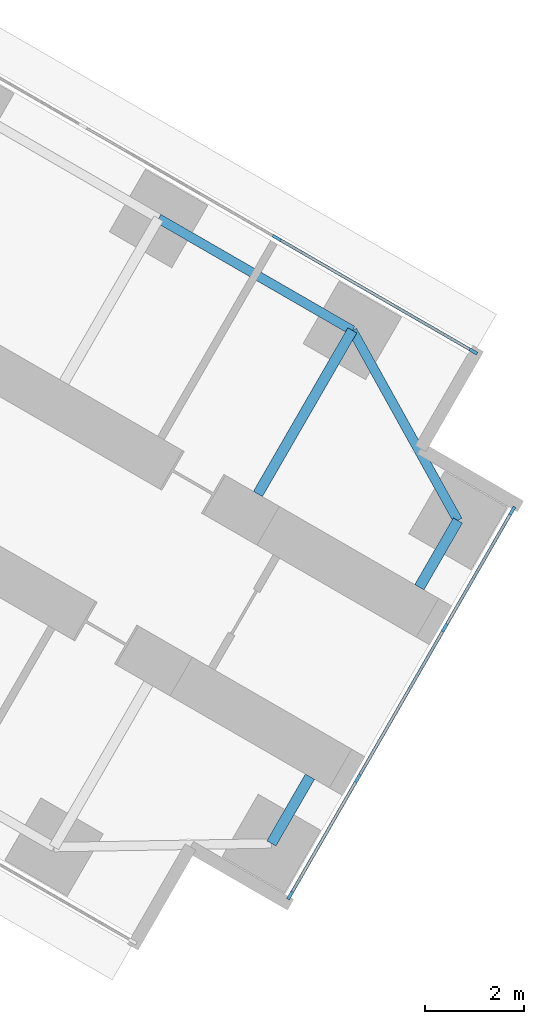
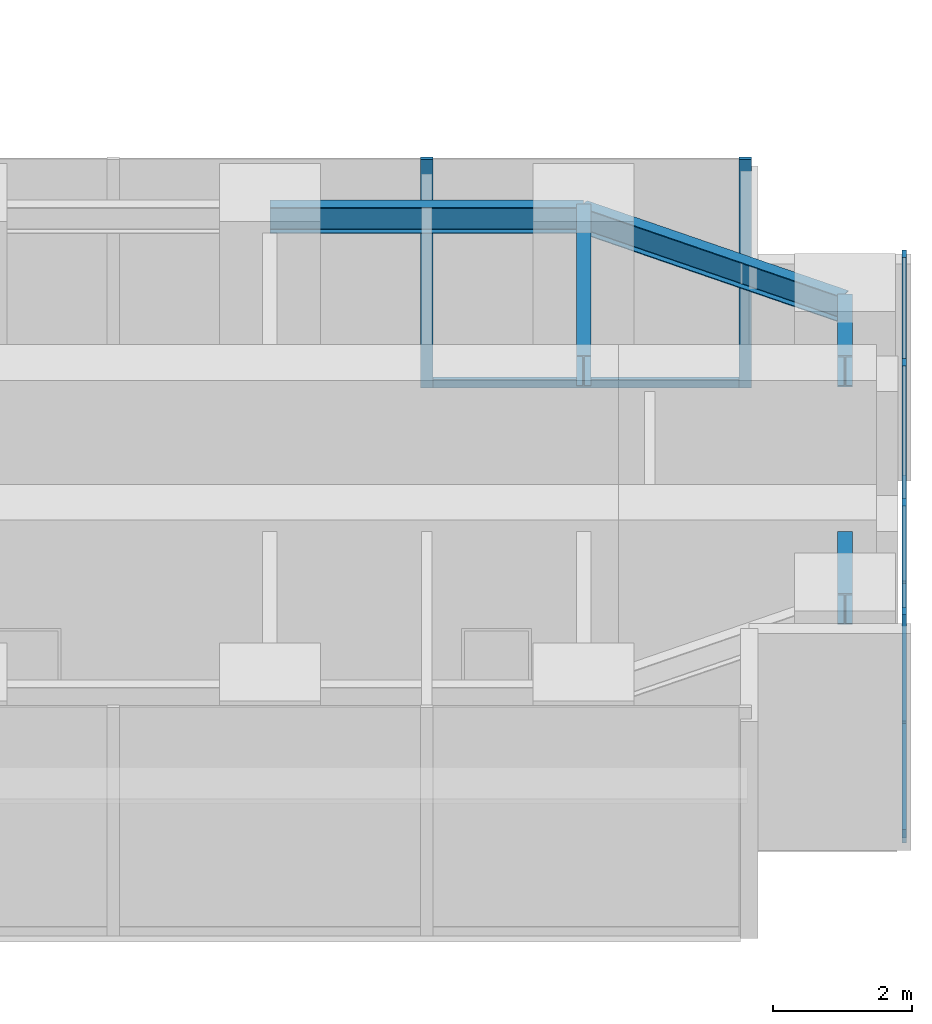
# One storey, part 12 of 24: 10 members, 5 beams, 2 elements without a shape of their own.
"""IFC4 building model written with IfcOpenShell, lengths in metres."""

from ifc_helpers import new_model, si_unit, direction, frame, origin, origin_2d, place, context, subcontext, project, spatial, rectangle, i_section, extrude, material, material_profile, profile_set, type_object, element, aggregate, save


model = new_model("IFC4")

# Units and contexts
model_context = context("Model", 3, precision=1e-05, world=origin(), true_north=direction((0.0, 1.0)))
body_context = subcontext(model_context, "Body", "Model", "MODEL_VIEW")
ifc_project = project(units=[si_unit("LENGTHUNIT", "METRE"), si_unit("AREAUNIT", "SQUARE_METRE"), si_unit("VOLUMEUNIT", "CUBIC_METRE"), si_unit("PLANEANGLEUNIT", "RADIAN"), si_unit("MASSUNIT", "GRAM", prefix="KILO")], contexts=[model_context])

# Site, building, storey
site_placement = place(None, origin())
site = spatial("IfcSite", under=ifc_project, at=site_placement, CompositionType="ELEMENT")
building_placement = place(site_placement, origin())
building = spatial("IfcBuilding", under=site, at=building_placement, Name="Upepo Twin Towers", CompositionType="ELEMENT")
storey_placement = place(building_placement, frame((0.0, 0.0, 48.5)))
storey = spatial("IfcBuildingStorey", under=building, at=storey_placement, Name="L11", CompositionType="ELEMENT", Elevation=48.5)

# Beams
ifc_material_1 = material(Name="Steel S355", Category="steel")
ifc_material_profile_1 = material_profile(ifc_material_1, i_section(OverallWidth=0.1904296875, OverallDepth=0.45703125, WebThickness=0.009033203125, FlangeThickness=0.014404296875, FilletRadius=0.01025390625, at=origin_2d()), Name="UB 457x191x74")
ifc_profile_set_1 = profile_set([ifc_material_profile_1], Name="Steel S355")
beam_type_1 = type_object("IfcBeamType", Name="Beam UB 457x191x74", PredefinedType="BEAM", material=ifc_profile_set_1)
beam_1_placement = place(storey_placement, frame((77.08837890625, -21.803955078125, 3.571533203125), z_axis=(0.866031096941, -0.499990139034, 0.0), x_axis=(0.499990139034, 0.866031096941, 0.0)))
element("IfcBeam", 1, at=beam_1_placement, inside=storey, type_object=beam_type_1, Name="T2 edge beam CL 18.0-22.5", PredefinedType="BEAM", context=body_context, shape_type="SweptSolid", body=[
    extrude(i_section(OverallWidth=0.1904296875, OverallDepth=0.45703125, WebThickness=0.009033203125, FlangeThickness=0.014404296875, FilletRadius=0.01025390625, at=origin_2d()), origin(), (0.0, 0.0, 1.0), 4.5),
])
beam_2_placement = place(storey_placement, frame((80.985595703125, -24.053955078125, 3.571533203125), z_axis=(0.485363242752, -0.874312600038, 0.0), x_axis=(0.874312600038, 0.485363242752, 0.0)))
element("IfcBeam", 2, at=beam_2_placement, inside=storey, type_object=beam_type_1, Name="T2 nose edge beam CL", PredefinedType="BEAM", context=body_context, shape_type="SweptSolid", body=[
    extrude(i_section(OverallWidth=0.1904296875, OverallDepth=0.45703125, WebThickness=0.009033203125, FlangeThickness=0.014404296875, FilletRadius=0.01025390625, at=origin_2d()), origin(), (0.0, 0.0, 1.0), 4.373046875),
])
ifc_material_2 = material(Name="Steel S355", Category="steel")
ifc_material_profile_2 = material_profile(ifc_material_2, i_section(OverallWidth=0.2119140625, OverallDepth=0.54443359375, WebThickness=0.0126953125, FlangeThickness=0.021240234375, FilletRadius=0.0126953125, at=origin_2d()), Name="UB 533x210x122")
ifc_profile_set_2 = profile_set([ifc_material_profile_2], Name="Steel S355")
beam_type_2 = type_object("IfcBeamType", Name="Beam UB 533x210x122", PredefinedType="BEAM", material=ifc_profile_set_2)
for number, where, z_axis, x_axis, name in (
    (3, (83.108154296875, -27.87744140625, 3.52783203125), (-0.499967891604, -0.866043940782, 0.0), (0.866043940782, -0.499967891604, 0.0), "T2 nose beam CL"),
    (4, (79.358154296875, -34.37255859375, 3.52783203125), (0.499967891604, 0.866043940782, 0.0), (-0.866043940782, 0.499967891604, 0.0), "T2 nose beam CR"),
):
    element("IfcBeam", number, at=place(storey_placement, frame(where, z_axis=z_axis, x_axis=x_axis)), inside=storey, type_object=beam_type_2, Name=name, PredefinedType="BEAM", context=body_context, shape_type="SweptSolid", body=[
        extrude(i_section(OverallWidth=0.2119140625, OverallDepth=0.54443359375, WebThickness=0.0126953125, FlangeThickness=0.021240234375, FilletRadius=0.0126953125, at=origin_2d()), origin(), (0.0, 0.0, 1.0), 1.5498046875),
    ])
ifc_material_3 = material(Name="Steel S355", Category="steel")
ifc_material_profile_3 = material_profile(ifc_material_3, i_section(OverallWidth=0.209228515625, OverallDepth=0.533203125, WebThickness=0.010009765625, FlangeThickness=0.015625, FilletRadius=0.0126953125, at=origin_2d()), Name="UB 533x210x92")
ifc_profile_set_3 = profile_set([ifc_material_profile_3], Name="Steel S355")
beam_type_3 = type_object("IfcBeamType", Name="Beam UB 533x210x92", PredefinedType="BEAM", material=ifc_profile_set_3)
beam_3_placement = place(storey_placement, frame((80.985595703125, -24.053955078125, 3.533447265625), z_axis=(-0.499994975061, -0.866028304915, 0.0), x_axis=(0.866028304915, -0.499994975061, 0.0)))
element("IfcBeam", 5, at=beam_3_placement, inside=storey, type_object=beam_type_3, Name="T2 girder CL at 22.5", PredefinedType="BEAM", context=body_context, shape_type="SweptSolid", body=[
    extrude(i_section(OverallWidth=0.209228515625, OverallDepth=0.533203125, WebThickness=0.010009765625, FlangeThickness=0.015625, FilletRadius=0.0126953125, at=origin_2d()), origin(), (0.0, 0.0, 1.0), 3.7998046875),
])

# Curtain wall, members
ifc_material_4 = material(Name="Aluminium and fritted glass", Category="aluminium")
curtain_wall_type = type_object("IfcCurtainWallType", Name="Tower curtain wall TW1, fritted glass", PredefinedType="NOTDEFINED", material=ifc_material_4)
curtain_wall_1_placement = place(storey_placement, origin())
curtain_wall_1 = element("IfcCurtainWall", 6, at=curtain_wall_1_placement, inside=storey, type_object=curtain_wall_type, Name="T2 L11 wing C flank L curtain wall", PredefinedType="NOTDEFINED")
ifc_material_5 = material(Name="Aluminium mullion", Category="aluminium")
ifc_material_profile_4 = material_profile(ifc_material_5, rectangle(XDim=0.06494140625, YDim=0.179931640625, at=origin_2d()), Name="MULLION 65x180")
ifc_profile_set_4 = profile_set([ifc_material_profile_4], Name="Aluminium mullion")
member_type_1 = type_object("IfcMemberType", Name="Mullion 65x180 TW1", PredefinedType="MULLION", material=ifc_profile_set_4)
member_1_placement = place(storey_placement, frame((79.4619140625, -22.192626953125, 0.0), z_axis=(0.0, 0.0, 1.0), x_axis=(0.500000024426, 0.866025389682, 0.0)))
member_1 = element("IfcMember", 7, at=member_1_placement, type_object=member_type_1, Name="T2 L11 wing C flank L curtain wall mullion 3", PredefinedType="MULLION", context=body_context, shape_type="SweptSolid", body=[
    extrude(rectangle(XDim=0.06494140625, YDim=0.179931640625, at=origin_2d()), origin(), (0.0, 0.0, 1.0), 4.0),
])
member_2_placement = place(storey_placement, frame((83.41748046875, -24.4765625, 0.0), z_axis=(0.0, 0.0, 1.0), x_axis=(0.500000024426, 0.866025389682, 0.0)))
member_2 = element("IfcMember", 8, at=member_2_placement, type_object=member_type_1, Name="T2 L11 wing C flank L curtain wall mullion 4", PredefinedType="MULLION", context=body_context, shape_type="SweptSolid", body=[
    extrude(rectangle(XDim=0.06494140625, YDim=0.179931640625, at=origin_2d()), origin(), (0.0, 0.0, 1.0), 4.0),
])

curtain_wall_2_placement = place(storey_placement, origin())
curtain_wall_2 = element("IfcCurtainWall", 9, at=curtain_wall_2_placement, inside=storey, type_object=curtain_wall_type, Name="T2 L11 wing C nose curtain wall", PredefinedType="NOTDEFINED")
member_3_placement = place(storey_placement, frame((79.735595703125, -35.4189453125, 0.0), z_axis=(0.0, 0.0, 1.0), x_axis=(-0.866025386174, 0.500000030502, 0.0)))
member_3 = element("IfcMember", 10, at=member_3_placement, type_object=member_type_1, Name="T2 L11 wing C nose curtain wall mullion 1", PredefinedType="MULLION", context=body_context, shape_type="SweptSolid", body=[
    extrude(rectangle(XDim=0.06494140625, YDim=0.179931640625, at=origin_2d()), origin(), (0.0, 0.0, 1.0), 4.0),
])
member_4_placement = place(storey_placement, frame((81.09423828125, -33.0654296875, 0.0), z_axis=(0.0, 0.0, 1.0), x_axis=(-0.866025386174, 0.500000030502, 0.0)))
member_4 = element("IfcMember", 11, at=member_4_placement, type_object=member_type_1, Name="T2 L11 wing C nose curtain wall mullion 2", PredefinedType="MULLION", context=body_context, shape_type="SweptSolid", body=[
    extrude(rectangle(XDim=0.06494140625, YDim=0.179931640625, at=origin_2d()), origin(), (0.0, 0.0, 1.0), 4.0),
])
member_5_placement = place(storey_placement, frame((82.84423828125, -30.034423828125, 0.0), z_axis=(0.0, 0.0, 1.0), x_axis=(-0.866025386174, 0.500000030502, 0.0)))
member_5 = element("IfcMember", 12, at=member_5_placement, type_object=member_type_1, Name="T2 L11 wing C nose curtain wall mullion 3", PredefinedType="MULLION", context=body_context, shape_type="SweptSolid", body=[
    extrude(rectangle(XDim=0.06494140625, YDim=0.179931640625, at=origin_2d()), origin(), (0.0, 0.0, 1.0), 4.0),
])
member_6_placement = place(storey_placement, frame((84.203125, -27.68115234375, 0.0), z_axis=(0.0, 0.0, 1.0), x_axis=(-0.866025386174, 0.500000030502, 0.0)))
member_6 = element("IfcMember", 13, at=member_6_placement, type_object=member_type_1, Name="T2 L11 wing C nose curtain wall mullion 4", PredefinedType="MULLION", context=body_context, shape_type="SweptSolid", body=[
    extrude(rectangle(XDim=0.06494140625, YDim=0.179931640625, at=origin_2d()), origin(), (0.0, 0.0, 1.0), 4.0),
])

# Member
ifc_material_6 = material(Name="Aluminium transom", Category="aluminium")
ifc_material_profile_5 = material_profile(ifc_material_6, rectangle(XDim=0.06494140625, YDim=0.14990234375, at=origin_2d()), Name="TRANSOM 65x150")
ifc_profile_set_5 = profile_set([ifc_material_profile_5], Name="Aluminium transom")
member_type_2 = type_object("IfcMemberType", Name="Transom 65x150 TW1", PredefinedType="USERDEFINED", material=ifc_profile_set_5)
member_7_placement = place(storey_placement, frame((79.490234375, -22.208984375, 0.074951171875), z_axis=(0.866022143554, -0.500005646842, 0.0), x_axis=(0.500005646842, 0.866022143554, 0.0)))
member_7 = element("IfcMember", 14, at=member_7_placement, type_object=member_type_2, Name="T2 L11 wing C flank L curtain wall transom 3", ObjectType="TRANSOM", PredefinedType="USERDEFINED", context=body_context, shape_type="SweptSolid", body=[
    extrude(rectangle(XDim=0.06494140625, YDim=0.14990234375, at=origin_2d()), origin(), (0.0, 0.0, 1.0), 4.50244140625),
])

aggregate(curtain_wall_1, [member_1, member_2, member_7])

member_8_placement = place(storey_placement, frame((79.751708984375, -35.390869140625, 0.074951171875), z_axis=(0.500049101008, 0.865997053448, 0.0), x_axis=(-0.865997053448, 0.500049101008, 0.0)))
member_8 = element("IfcMember", 15, at=member_8_placement, type_object=member_type_2, Name="T2 L11 wing C nose curtain wall transom 1", ObjectType="TRANSOM", PredefinedType="USERDEFINED", context=body_context, shape_type="SweptSolid", body=[
    extrude(rectangle(XDim=0.06494140625, YDim=0.14990234375, at=origin_2d()), origin(), (0.0, 0.0, 1.0), 2.652587890625),
])

member_9_placement = place(storey_placement, frame((81.110595703125, -33.037353515625, 0.074951171875), z_axis=(0.499999305434, 0.866025804792, 0.0), x_axis=(-0.866025804792, 0.499999305434, 0.0)))
member_9 = element("IfcMember", 16, at=member_9_placement, type_object=member_type_2, Name="T2 L11 wing C nose curtain wall transom 2", ObjectType="TRANSOM", PredefinedType="USERDEFINED", context=body_context, shape_type="SweptSolid", body=[
    extrude(rectangle(XDim=0.06494140625, YDim=0.14990234375, at=origin_2d()), origin(), (0.0, 0.0, 1.0), 3.43505859375),
])

member_10_placement = place(storey_placement, frame((82.860595703125, -30.00634765625, 0.074951171875), z_axis=(0.499980071345, 0.866036909293, 0.0), x_axis=(-0.866036909293, 0.499980071345, 0.0)))
member_10 = element("IfcMember", 17, at=member_10_placement, type_object=member_type_2, Name="T2 L11 wing C nose curtain wall transom 3", ObjectType="TRANSOM", PredefinedType="USERDEFINED", context=body_context, shape_type="SweptSolid", body=[
    extrude(rectangle(XDim=0.06494140625, YDim=0.14990234375, at=origin_2d()), origin(), (0.0, 0.0, 1.0), 2.65234375),
])

aggregate(curtain_wall_2, [member_3, member_4, member_5, member_6, member_8, member_9, member_10])

save(model, "model.ifc")
